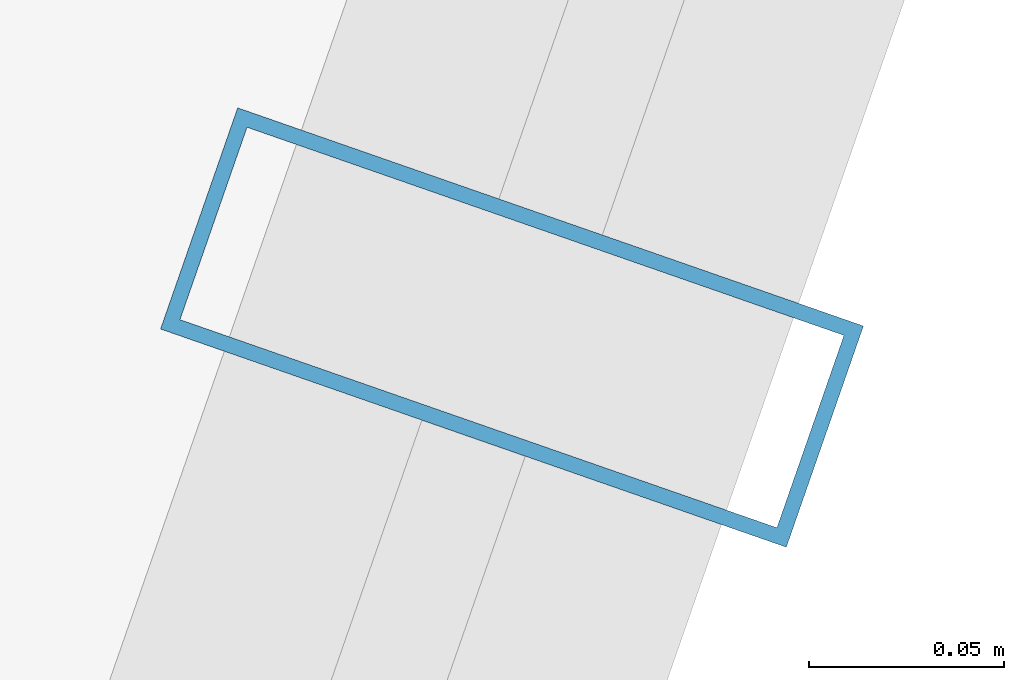
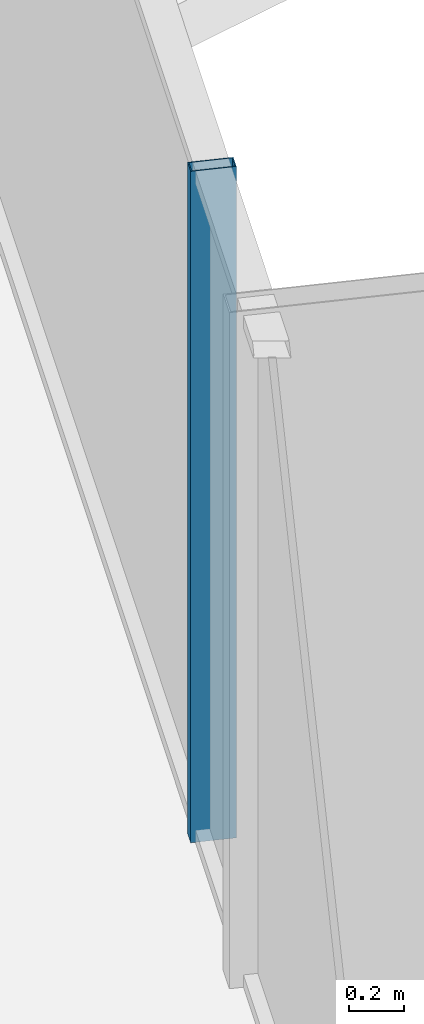
# One storey, part 18 of 38: 1 member, 1 element without a shape of its own.
"""IFC4 building model written with IfcOpenShell, lengths in metres."""

from ifc_helpers import new_model, si_unit, direction, frame, origin, origin_2d, place, context, subcontext, project, spatial, hollow_rectangle, extrude, source, transform, mapped, material, layer, layer_set, material_profile, profile_set, type_object, element, aggregate, save


model = new_model("IFC4")

# Units and contexts
model_context = context("Model", 3, precision=1e-05, world=origin(), true_north=direction((0.0, 1.0)))
body_context = subcontext(model_context, "Body", "Model", "MODEL_VIEW")
ifc_project = project(units=[si_unit("LENGTHUNIT", "METRE"), si_unit("AREAUNIT", "SQUARE_METRE"), si_unit("VOLUMEUNIT", "CUBIC_METRE"), si_unit("PLANEANGLEUNIT", "RADIAN"), si_unit("MASSUNIT", "GRAM", prefix="KILO")], contexts=[model_context])

# Site, building, storey
site_placement = place(None, origin())
site = spatial("IfcSite", under=ifc_project, at=site_placement, CompositionType="ELEMENT")
building_placement = place(site_placement, origin())
building = spatial("IfcBuilding", under=site, at=building_placement, Name="Veraguas Prism Commons", CompositionType="ELEMENT")
storey_placement = place(building_placement, frame((0.0, 0.0, 60.85009765625)))
storey = spatial("IfcBuildingStorey", under=building, at=storey_placement, Name="L16", CompositionType="ELEMENT", Elevation=60.85009765625)

# Curtain wall, member
ifc_material = material(Name="Anodised aluminium EN AW-6063 T6", Category="aluminium")
ifc_layer = layer(ifc_material, 0.169921875, Name="Unitised Flush Curtain Wall Zone 1", Category="aluminium")
ifc_layer_set = layer_set([ifc_layer], Name="Anodised aluminium EN AW-6063 T6")
curtain_wall_type = type_object("IfcCurtainWallType", Name="Unitised Flush Curtain Wall Zone 1", PredefinedType="NOTDEFINED", material=ifc_layer_set)
curtain_wall_placement = place(storey_placement, origin())
curtain_wall = element("IfcCurtainWall", 1, at=curtain_wall_placement, inside=storey, type_object=curtain_wall_type, Name="Tower Facade Curtain Wall L16-F6", PredefinedType="NOTDEFINED")
ifc_material_profile = material_profile(ifc_material, hollow_rectangle(XDim=0.06005859375, YDim=0.169921875, WallThickness=0.00390625, at=origin_2d()), Name="AL60X170X4")
ifc_profile_set = profile_set([ifc_material_profile], Name="Anodised aluminium EN AW-6063 T6")
member_type = type_object("IfcMemberType", Name="Curtain Wall Mullion Lower AL 60x170x4", PredefinedType="MULLION", material=ifc_profile_set)
shared_shape = source(origin(), body_context, "Body", "SweptSolid", [
    extrude(hollow_rectangle(XDim=0.06005859375, YDim=0.169921875, WallThickness=0.00390625, at=origin_2d()), origin(), (0.0, 0.0, 1.0), 3.0),
])
member_placement = place(storey_placement, frame((45.163818359375, 21.568359375, 0.0), z_axis=(0.0, 0.0, 1.0), x_axis=(0.329194628189, 0.944262091144, 0.0)))
member = element("IfcMember", 2, at=member_placement, type_object=member_type, Name="CW-Z1 Mullion 4", PredefinedType="MULLION", context=body_context, shape_type="MappedRepresentation", body=[
    mapped(shared_shape, transform((0.0, 0.0, 0.0), scale=1.0)),
])
aggregate(curtain_wall, [member])

save(model, "model.ifc")
